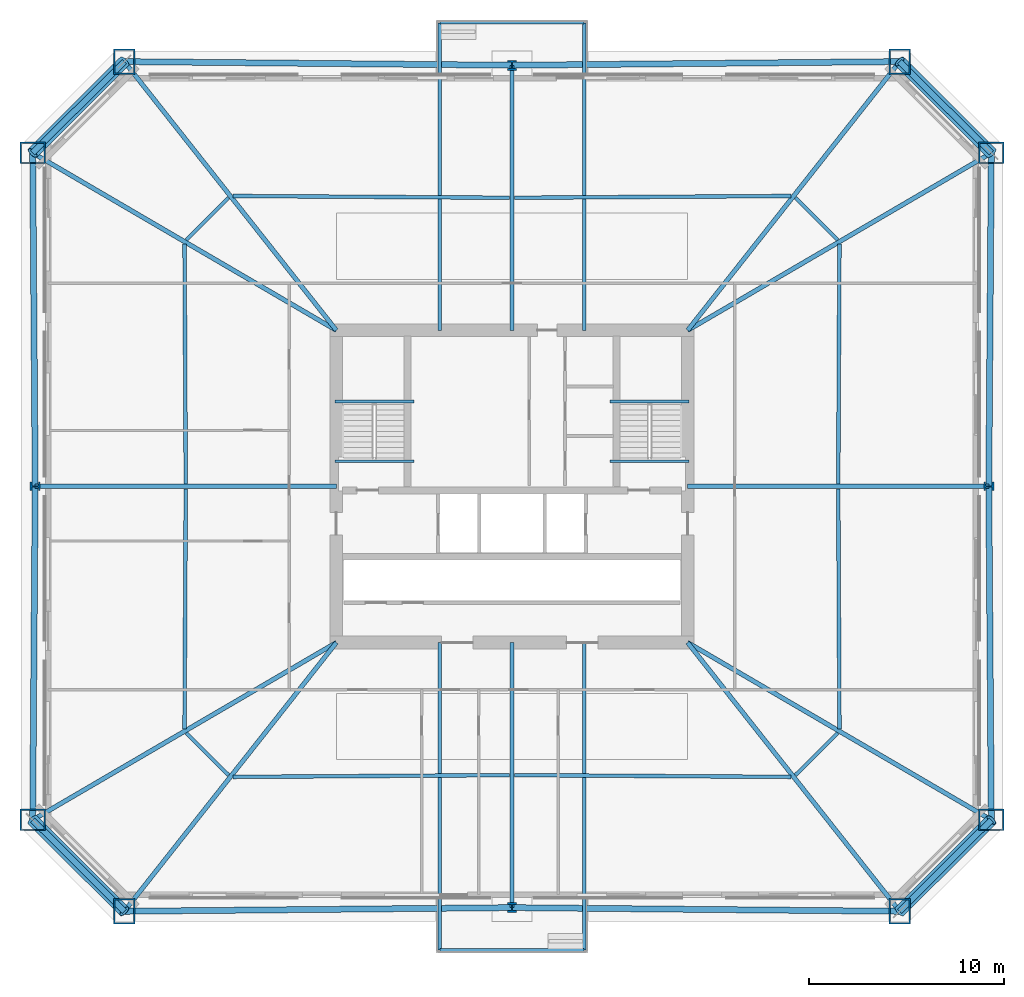
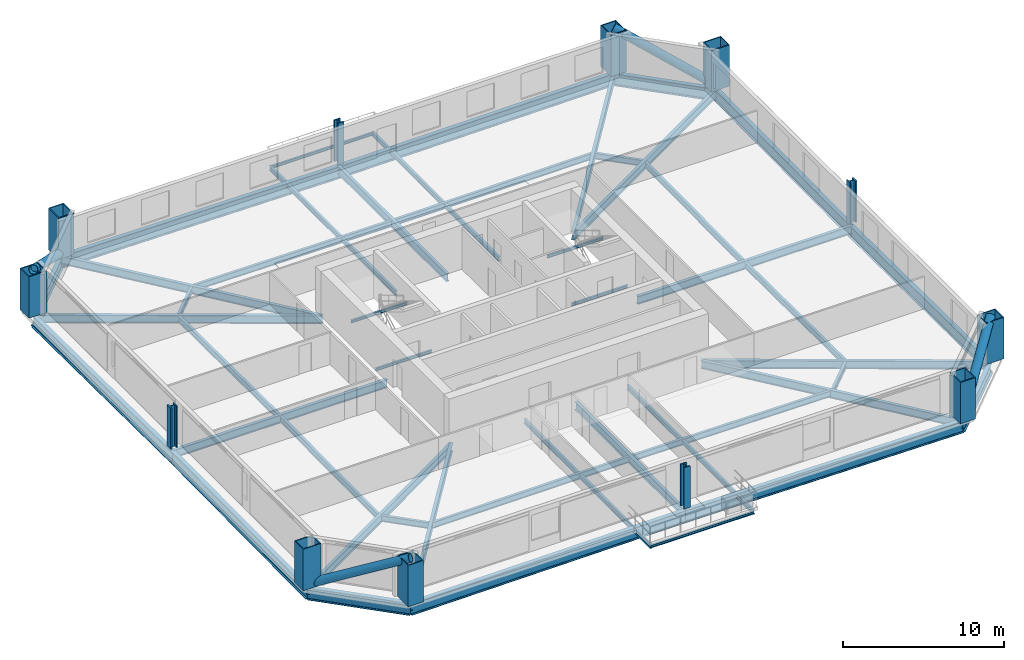
# One storey, part 1 of 8: 46 beams, 12 columns, 4 members.
"""IFC4 building model written with IfcOpenShell, lengths in metres."""

from ifc_helpers import new_model, si_unit, direction, frame, origin, origin_2d, place, context, subcontext, project, spatial, hollow_rectangle, hollow_circle, i_section, extrude, material, material_profile, profile_set, type_object, element, save


model = new_model("IFC4")

# Units and contexts
model_context = context("Model", 3, precision=1e-05, world=origin(), true_north=direction((0.0, 1.0)))
body_context = subcontext(model_context, "Body", "Model", "MODEL_VIEW")
ifc_project = project(units=[si_unit("LENGTHUNIT", "METRE"), si_unit("AREAUNIT", "SQUARE_METRE"), si_unit("VOLUMEUNIT", "CUBIC_METRE"), si_unit("PLANEANGLEUNIT", "RADIAN"), si_unit("MASSUNIT", "GRAM", prefix="KILO")], contexts=[model_context])

# Site, building, storey
site_placement = place(None, origin())
site = spatial("IfcSite", under=ifc_project, at=site_placement, CompositionType="ELEMENT")
building_placement = place(site_placement, origin())
building = spatial("IfcBuilding", under=site, at=building_placement, Name="Caelvoria Tower", CompositionType="ELEMENT")
storey_placement = place(building_placement, frame((0.0, 0.0, 42.39990234375)))
storey = spatial("IfcBuildingStorey", under=building, at=storey_placement, Name="L10", CompositionType="ELEMENT", Elevation=42.39990234375)

# Columns
ifc_material_1 = material(Name="Structural Steel ASTM A913 Gr.65", Category="steel")
ifc_material_profile_1 = material_profile(ifc_material_1, i_section(OverallWidth=0.43896484375, OverallDepth=0.513916015625, WebThickness=0.059814453125, FlangeThickness=0.096923828125, FilletRadius=0.02490234375, at=origin_2d()), Name="Structural Steel ASTM A913 Gr.65")
ifc_profile_set_1 = profile_set([ifc_material_profile_1], Name="W360X818 - Structural Steel ASTM A913 Gr.65")
column_type_1 = type_object("IfcColumnType", Name="Heavy Frame Column W360X818", PredefinedType="COLUMN", material=ifc_profile_set_1)
for number, where, z_axis, x_axis, name in (
    (1, (46.0, 10.419921875, 0.0), (0.0, 0.0, 1.0), (1.0, 0.0, 0.0), "Perimeter Megaframe Column L10-P01"),
    (2, (70.429931640625, 32.0, 0.0), (0.0, 0.0, 1.0), (0.0, 1.0, 0.0), "Perimeter Megaframe Column L10-P04"),
    (3, (46.0, 53.580078125, 0.0), (0.0, 0.0, 1.0), (1.0, 0.0, 0.0), "Perimeter Megaframe Column L10-P07"),
    (4, (21.570068359375, 32.0, 0.0), (0.0, 0.0, 1.0), (0.0, 1.0, 0.0), "Perimeter Megaframe Column L10-P10"),
):
    element("IfcColumn", number, at=place(storey_placement, frame(where, z_axis=z_axis, x_axis=x_axis)), inside=storey, type_object=column_type_1, Name=name, PredefinedType="COLUMN", context=body_context, shape_type="SweptSolid", body=[
        extrude(i_section(OverallWidth=0.43896484375, OverallDepth=0.513916015625, WebThickness=0.059814453125, FlangeThickness=0.096923828125, FilletRadius=0.02490234375, at=origin_2d()), origin(), (0.0, 0.0, 1.0), 3.148193359375),
    ])
ifc_material_2 = material(Name="Structural Steel ASTM A572 Gr.50", Category="steel")
ifc_material_profile_2 = material_profile(ifc_material_2, hollow_rectangle(XDim=1.10009765625, YDim=1.300048828125, WallThickness=0.070068359375, at=origin_2d()), Name="Structural Steel ASTM A572 Gr.50")
ifc_profile_set_2 = profile_set([ifc_material_profile_2], Name="BOX1300X1100X70 - Structural Steel ASTM A572 Gr.50")
column_type_2 = type_object("IfcColumnType", Name="Mega Box Column 1300x1100x70", PredefinedType="COLUMN", material=ifc_profile_set_2)
for number, where, z_axis, x_axis, name in (
    (5, (26.13525390625, 10.231689453125, 0.0), (0.0, 0.0, 1.0), (1.0, 0.0, 0.0), "Perimeter Megaframe Column L10-P00"),
    (6, (65.86474609375, 10.231689453125, 0.0), (0.0, 0.0, 1.0), (1.0, 0.0, 0.0), "Perimeter Megaframe Column L10-P02"),
    (7, (70.55908203125, 14.9111328125, 0.0), (0.0, 0.0, 1.0), (0.0, 1.0, 0.0), "Perimeter Megaframe Column L10-P03"),
    (8, (70.55908203125, 49.0888671875, 0.0), (0.0, 0.0, 1.0), (0.0, 1.0, 0.0), "Perimeter Megaframe Column L10-P05"),
    (9, (65.86474609375, 53.768310546875, 0.0), (0.0, 0.0, 1.0), (1.0, 0.0, 0.0), "Perimeter Megaframe Column L10-P06"),
    (10, (26.13525390625, 53.768310546875, 0.0), (0.0, 0.0, 1.0), (1.0, 0.0, 0.0), "Perimeter Megaframe Column L10-P08"),
    (11, (21.44091796875, 49.0888671875, 0.0), (0.0, 0.0, 1.0), (0.0, 1.0, 0.0), "Perimeter Megaframe Column L10-P09"),
    (12, (21.44091796875, 14.9111328125, 0.0), (0.0, 0.0, 1.0), (0.0, 1.0, 0.0), "Perimeter Megaframe Column L10-P11"),
):
    element("IfcColumn", number, at=place(storey_placement, frame(where, z_axis=z_axis, x_axis=x_axis)), inside=storey, type_object=column_type_2, Name=name, PredefinedType="COLUMN", context=body_context, shape_type="SweptSolid", body=[
        extrude(hollow_rectangle(XDim=1.10009765625, YDim=1.300048828125, WallThickness=0.070068359375, at=origin_2d()), origin(), (0.0, 0.0, 1.0), 3.148193359375),
    ])

# Beams
ifc_material_3 = material(Name="Structural Steel ASTM A992 Gr.50", Category="steel")
ifc_material_profile_3 = material_profile(ifc_material_3, i_section(OverallWidth=0.134033203125, OverallDepth=0.2099609375, WebThickness=0.00634765625, FlangeThickness=0.01025390625, FilletRadius=0.010009765625, at=origin_2d()), Name="Structural Steel ASTM A992 Gr.50")
ifc_profile_set_3 = profile_set([ifc_material_profile_3], Name="W200X31.3 - Structural Steel ASTM A992 Gr.50")
beam_type_1 = type_object("IfcBeamType", Name="Canopy Edge Trim Beam W200X31.3", PredefinedType="BEAM", material=ifc_profile_set_3)
for number, where, z_axis, x_axis, name in (
    (13, (42.300048828125, 8.25, -0.428955078125), (1.0, 0.0, 0.0), (0.0, 1.0, 0.0), "Tree Balcony Edge Beam TB-L10-S"),
    (14, (42.300048828125, 55.75, -0.428955078125), (1.0, 0.0, 0.0), (0.0, 1.0, 0.0), "Tree Balcony Edge Beam TB-L10-N"),
):
    element("IfcBeam", number, at=place(storey_placement, frame(where, z_axis=z_axis, x_axis=x_axis)), inside=storey, type_object=beam_type_1, Name=name, PredefinedType="BEAM", context=body_context, shape_type="SweptSolid", body=[
        extrude(i_section(OverallWidth=0.134033203125, OverallDepth=0.2099609375, WebThickness=0.00634765625, FlangeThickness=0.01025390625, FilletRadius=0.010009765625, at=origin_2d()), origin(), (0.0, 0.0, 1.0), 7.39990234375),
    ])
for number, where, z_axis, x_axis, name in (
    (15, (36.929931640625, 36.35009765625, 1.4951171875), (1.0, 0.0, 0.0), (0.0, 1.0, 0.0), "ST-01 Half-Landing Support Beam L10"),
    (16, (36.929931640625, 33.300048828125, -0.304931640625), (1.0, 0.0, 0.0), (0.0, 1.0, 0.0), "ST-01 Floor-Landing Support Beam L10"),
    (17, (51.030029296875, 36.35009765625, 1.4951171875), (1.0, 0.0, 0.0), (0.0, 1.0, 0.0), "ST-02 Half-Landing Support Beam L10"),
    (18, (51.030029296875, 33.300048828125, -0.304931640625), (1.0, 0.0, 0.0), (0.0, 1.0, 0.0), "ST-02 Floor-Landing Support Beam L10"),
):
    element("IfcBeam", number, at=place(storey_placement, frame(where, z_axis=z_axis, x_axis=x_axis)), inside=storey, type_object=beam_type_1, Name=name, PredefinedType="BEAM", context=body_context, shape_type="SweptSolid", body=[
        extrude(i_section(OverallWidth=0.134033203125, OverallDepth=0.2099609375, WebThickness=0.00634765625, FlangeThickness=0.01025390625, FilletRadius=0.010009765625, at=origin_2d()), origin(), (0.0, 0.0, 1.0), 4.0400390625),
    ])

# Members
ifc_material_profile_4 = material_profile(ifc_material_2, hollow_circle(Radius=0.304931640625, WallThickness=0.02490234375, at=origin_2d()), Name="Structural Steel ASTM A572 Gr.50")
ifc_profile_set_4 = profile_set([ifc_material_profile_4], Name="CHS610X25 - Structural Steel ASTM A572 Gr.50")
member_type = type_object("IfcMemberType", Name="Lower Perimeter Mega Brace CHS610X25", PredefinedType="BRACE", material=ifc_profile_set_4)
for number, where, z_axis, x_axis, name in (
    (19, (65.86474609375, 10.231689453125, 0.0), (0.639663340641, 0.637634036305, 0.429247768062), (-0.705982475332, 0.708229302221, 0.0), "Perimeter Chamfer Mega Brace L10 SE"),
    (20, (70.55908203125, 49.0888671875, 0.0), (-0.639663340641, 0.637634036305, 0.429247768062), (-0.705982475332, -0.708229302221, 0.0), "Perimeter Chamfer Mega Brace L10 NE"),
    (21, (26.13525390625, 53.768310546875, 0.0), (-0.639663340641, -0.637634036305, 0.429247768062), (0.705982475332, -0.708229302221, 0.0), "Perimeter Chamfer Mega Brace L10 NW"),
    (22, (21.44091796875, 14.9111328125, 0.0), (0.639663340641, -0.637634036305, 0.429247768062), (0.705982475332, 0.708229302221, 0.0), "Perimeter Chamfer Mega Brace L10 SW"),
):
    element("IfcMember", number, at=place(storey_placement, frame(where, z_axis=z_axis, x_axis=x_axis)), inside=storey, type_object=member_type, Name=name, PredefinedType="BRACE", context=body_context, shape_type="SweptSolid", body=[
        extrude(hollow_circle(Radius=0.304931640625, WallThickness=0.02490234375, at=origin_2d()), origin(), (0.0, 0.0, 1.0), 7.3388671875),
    ])

# Beams
ifc_material_profile_5 = material_profile(ifc_material_3, i_section(OverallWidth=0.30810546875, OverallDepth=0.927001953125, WebThickness=0.019287109375, FlangeThickness=0.031982421875, FilletRadius=0.02392578125, at=origin_2d()), Name="Structural Steel ASTM A992 Gr.50")
ifc_profile_set_5 = profile_set([ifc_material_profile_5], Name="W920X289 - Structural Steel ASTM A992 Gr.50")
beam_type_2 = type_object("IfcBeamType", Name="Outrigger Tie Girder W920X289", PredefinedType="BEAM", material=ifc_profile_set_5)
for number, where, z_axis, x_axis, name in (
    (23, (26.13525390625, 10.231689453125, -0.703369140625), (0.999955108555, 0.009475277004, 0.0), (-0.009475277004, 0.999955108555, 0.0), "Perimeter Spandrel Girder L10-00"),
    (24, (46.0, 10.419921875, -0.703369140625), (0.999955108555, -0.009475277004, 0.0), (0.009475277004, 0.999955108555, 0.0), "Perimeter Spandrel Girder L10-01"),
):
    element("IfcBeam", number, at=place(storey_placement, frame(where, z_axis=z_axis, x_axis=x_axis)), inside=storey, type_object=beam_type_2, Name=name, PredefinedType="BEAM", context=body_context, shape_type="SweptSolid", body=[
        extrude(i_section(OverallWidth=0.30810546875, OverallDepth=0.927001953125, WebThickness=0.019287109375, FlangeThickness=0.031982421875, FilletRadius=0.02392578125, at=origin_2d()), origin(), (0.0, 0.0, 1.0), 19.86572265625),
    ])
beam_1_placement = place(storey_placement, frame((65.86474609375, 10.231689453125, -0.703369140625), z_axis=(0.708229302221, 0.705982475332, 0.0), x_axis=(-0.705982475332, 0.708229302221, 0.0)))
element("IfcBeam", 25, at=beam_1_placement, inside=storey, type_object=beam_type_2, Name="Perimeter Spandrel Girder L10-02", PredefinedType="BEAM", context=body_context, shape_type="SweptSolid", body=[
    extrude(i_section(OverallWidth=0.30810546875, OverallDepth=0.927001953125, WebThickness=0.019287109375, FlangeThickness=0.031982421875, FilletRadius=0.02392578125, at=origin_2d()), origin(), (0.0, 0.0, 1.0), 6.628173828125),
])
for number, where, z_axis, x_axis, name in (
    (26, (70.55908203125, 14.9111328125, -0.703369140625), (-0.007557358895, 0.999971442756, 0.0), (-0.999971442756, -0.007557358895, 0.0), "Perimeter Spandrel Girder L10-03"),
    (27, (70.429931640625, 32.0, -0.703369140625), (0.007557358895, 0.999971442756, 0.0), (-0.999971442756, 0.007557358895, 0.0), "Perimeter Spandrel Girder L10-04"),
):
    element("IfcBeam", number, at=place(storey_placement, frame(where, z_axis=z_axis, x_axis=x_axis)), inside=storey, type_object=beam_type_2, Name=name, PredefinedType="BEAM", context=body_context, shape_type="SweptSolid", body=[
        extrude(i_section(OverallWidth=0.30810546875, OverallDepth=0.927001953125, WebThickness=0.019287109375, FlangeThickness=0.031982421875, FilletRadius=0.02392578125, at=origin_2d()), origin(), (0.0, 0.0, 1.0), 17.08935546875),
    ])
beam_2_placement = place(storey_placement, frame((70.55908203125, 49.0888671875, -0.703369140625), z_axis=(-0.708229302221, 0.705982475332, 0.0), x_axis=(-0.705982475332, -0.708229302221, 0.0)))
element("IfcBeam", 28, at=beam_2_placement, inside=storey, type_object=beam_type_2, Name="Perimeter Spandrel Girder L10-05", PredefinedType="BEAM", context=body_context, shape_type="SweptSolid", body=[
    extrude(i_section(OverallWidth=0.30810546875, OverallDepth=0.927001953125, WebThickness=0.019287109375, FlangeThickness=0.031982421875, FilletRadius=0.02392578125, at=origin_2d()), origin(), (0.0, 0.0, 1.0), 6.628173828125),
])
for number, where, z_axis, x_axis, name in (
    (29, (65.86474609375, 53.768310546875, -0.703369140625), (-0.999955108555, -0.009475277004, 0.0), (0.009475277004, -0.999955108555, 0.0), "Perimeter Spandrel Girder L10-06"),
    (30, (46.0, 53.580078125, -0.703369140625), (-0.999955108555, 0.009475277004, 0.0), (-0.009475277004, -0.999955108555, 0.0), "Perimeter Spandrel Girder L10-07"),
):
    element("IfcBeam", number, at=place(storey_placement, frame(where, z_axis=z_axis, x_axis=x_axis)), inside=storey, type_object=beam_type_2, Name=name, PredefinedType="BEAM", context=body_context, shape_type="SweptSolid", body=[
        extrude(i_section(OverallWidth=0.30810546875, OverallDepth=0.927001953125, WebThickness=0.019287109375, FlangeThickness=0.031982421875, FilletRadius=0.02392578125, at=origin_2d()), origin(), (0.0, 0.0, 1.0), 19.86572265625),
    ])
beam_3_placement = place(storey_placement, frame((26.13525390625, 53.768310546875, -0.703369140625), z_axis=(-0.708229302221, -0.705982475332, 0.0), x_axis=(0.705982475332, -0.708229302221, 0.0)))
element("IfcBeam", 31, at=beam_3_placement, inside=storey, type_object=beam_type_2, Name="Perimeter Spandrel Girder L10-08", PredefinedType="BEAM", context=body_context, shape_type="SweptSolid", body=[
    extrude(i_section(OverallWidth=0.30810546875, OverallDepth=0.927001953125, WebThickness=0.019287109375, FlangeThickness=0.031982421875, FilletRadius=0.02392578125, at=origin_2d()), origin(), (0.0, 0.0, 1.0), 6.628173828125),
])
for number, where, z_axis, x_axis, name in (
    (32, (21.44091796875, 49.0888671875, -0.703369140625), (0.007557358895, -0.999971442756, 0.0), (0.999971442756, 0.007557358895, 0.0), "Perimeter Spandrel Girder L10-09"),
    (33, (21.570068359375, 32.0, -0.703369140625), (-0.007557358895, -0.999971442756, 0.0), (0.999971442756, -0.007557358895, 0.0), "Perimeter Spandrel Girder L10-10"),
):
    element("IfcBeam", number, at=place(storey_placement, frame(where, z_axis=z_axis, x_axis=x_axis)), inside=storey, type_object=beam_type_2, Name=name, PredefinedType="BEAM", context=body_context, shape_type="SweptSolid", body=[
        extrude(i_section(OverallWidth=0.30810546875, OverallDepth=0.927001953125, WebThickness=0.019287109375, FlangeThickness=0.031982421875, FilletRadius=0.02392578125, at=origin_2d()), origin(), (0.0, 0.0, 1.0), 17.08935546875),
    ])
beam_4_placement = place(storey_placement, frame((21.44091796875, 14.9111328125, -0.703369140625), z_axis=(0.708229302221, -0.705982475332, 0.0), x_axis=(0.705982475332, 0.708229302221, 0.0)))
element("IfcBeam", 34, at=beam_4_placement, inside=storey, type_object=beam_type_2, Name="Perimeter Spandrel Girder L10-11", PredefinedType="BEAM", context=body_context, shape_type="SweptSolid", body=[
    extrude(i_section(OverallWidth=0.30810546875, OverallDepth=0.927001953125, WebThickness=0.019287109375, FlangeThickness=0.031982421875, FilletRadius=0.02392578125, at=origin_2d()), origin(), (0.0, 0.0, 1.0), 6.628173828125),
])
ifc_material_profile_6 = material_profile(ifc_material_3, i_section(OverallWidth=0.22900390625, OverallDepth=0.612060546875, WebThickness=0.011962890625, FlangeThickness=0.01953125, FilletRadius=0.01806640625, at=origin_2d()), Name="Structural Steel ASTM A992 Gr.50")
ifc_profile_set_6 = profile_set([ifc_material_profile_6], Name="W610X125 - Structural Steel ASTM A992 Gr.50")
beam_type_3 = type_object("IfcBeamType", Name="Primary Radial Floor Girder W610X125", PredefinedType="BEAM", material=ifc_profile_set_6)
beam_5_placement = place(storey_placement, frame((37.0, 24.0, -0.5458984375), z_axis=(-0.619469607618, -0.785020640007, 0.0), x_axis=(0.785020640007, -0.619469607618, 0.0)))
element("IfcBeam", 35, at=beam_5_placement, inside=storey, type_object=beam_type_3, Name="Primary Floor Girder L10-00", PredefinedType="BEAM", context=body_context, shape_type="SweptSolid", body=[
    extrude(i_section(OverallWidth=0.22900390625, OverallDepth=0.612060546875, WebThickness=0.011962890625, FlangeThickness=0.01953125, FilletRadius=0.01806640625, at=origin_2d()), origin(), (0.0, 0.0, 1.0), 17.538818359375),
])
beam_6_placement = place(storey_placement, frame((46.0, 24.0, -0.5458984375), z_axis=(0.0, -1.0, 0.0), x_axis=(1.0, 0.0, 0.0)))
element("IfcBeam", 36, at=beam_6_placement, inside=storey, type_object=beam_type_3, Name="Primary Floor Girder L10-01", PredefinedType="BEAM", context=body_context, shape_type="SweptSolid", body=[
    extrude(i_section(OverallWidth=0.22900390625, OverallDepth=0.612060546875, WebThickness=0.011962890625, FlangeThickness=0.01953125, FilletRadius=0.01806640625, at=origin_2d()), origin(), (0.0, 0.0, 1.0), 13.580078125),
])
beam_7_placement = place(storey_placement, frame((55.0, 24.0, -0.5458984375), z_axis=(0.619469607618, -0.785020640007, 0.0), x_axis=(0.785020640007, 0.619469607618, 0.0)))
element("IfcBeam", 37, at=beam_7_placement, inside=storey, type_object=beam_type_3, Name="Primary Floor Girder L10-02", PredefinedType="BEAM", context=body_context, shape_type="SweptSolid", body=[
    extrude(i_section(OverallWidth=0.22900390625, OverallDepth=0.612060546875, WebThickness=0.011962890625, FlangeThickness=0.01953125, FilletRadius=0.01806640625, at=origin_2d()), origin(), (0.0, 0.0, 1.0), 17.538818359375),
])
beam_8_placement = place(storey_placement, frame((55.0, 24.0, -0.5458984375), z_axis=(0.863471116807, -0.504398285525, 0.0), x_axis=(0.504398285525, 0.863471116807, 0.0)))
element("IfcBeam", 38, at=beam_8_placement, inside=storey, type_object=beam_type_3, Name="Primary Floor Girder L10-03", PredefinedType="BEAM", context=body_context, shape_type="SweptSolid", body=[
    extrude(i_section(OverallWidth=0.22900390625, OverallDepth=0.612060546875, WebThickness=0.011962890625, FlangeThickness=0.01953125, FilletRadius=0.01806640625, at=origin_2d()), origin(), (0.0, 0.0, 1.0), 18.019287109375),
])
beam_9_placement = place(storey_placement, frame((55.0, 32.0, -0.5458984375), z_axis=(1.0, 0.0, 0.0), x_axis=(0.0, 1.0, 0.0)))
element("IfcBeam", 39, at=beam_9_placement, inside=storey, type_object=beam_type_3, Name="Primary Floor Girder L10-04", PredefinedType="BEAM", context=body_context, shape_type="SweptSolid", body=[
    extrude(i_section(OverallWidth=0.22900390625, OverallDepth=0.612060546875, WebThickness=0.011962890625, FlangeThickness=0.01953125, FilletRadius=0.01806640625, at=origin_2d()), origin(), (0.0, 0.0, 1.0), 15.429931640625),
])
beam_10_placement = place(storey_placement, frame((55.0, 40.0, -0.5458984375), z_axis=(0.863471116807, 0.504398285525, 0.0), x_axis=(-0.504398285525, 0.863471116807, 0.0)))
element("IfcBeam", 40, at=beam_10_placement, inside=storey, type_object=beam_type_3, Name="Primary Floor Girder L10-05", PredefinedType="BEAM", context=body_context, shape_type="SweptSolid", body=[
    extrude(i_section(OverallWidth=0.22900390625, OverallDepth=0.612060546875, WebThickness=0.011962890625, FlangeThickness=0.01953125, FilletRadius=0.01806640625, at=origin_2d()), origin(), (0.0, 0.0, 1.0), 18.019287109375),
])
beam_11_placement = place(storey_placement, frame((55.0, 40.0, -0.5458984375), z_axis=(0.619469607618, 0.785020640007, 0.0), x_axis=(-0.785020640007, 0.619469607618, 0.0)))
element("IfcBeam", 41, at=beam_11_placement, inside=storey, type_object=beam_type_3, Name="Primary Floor Girder L10-06", PredefinedType="BEAM", context=body_context, shape_type="SweptSolid", body=[
    extrude(i_section(OverallWidth=0.22900390625, OverallDepth=0.612060546875, WebThickness=0.011962890625, FlangeThickness=0.01953125, FilletRadius=0.01806640625, at=origin_2d()), origin(), (0.0, 0.0, 1.0), 17.538818359375),
])
beam_12_placement = place(storey_placement, frame((46.0, 40.0, -0.5458984375), z_axis=(0.0, 1.0, 0.0), x_axis=(-1.0, 0.0, 0.0)))
element("IfcBeam", 42, at=beam_12_placement, inside=storey, type_object=beam_type_3, Name="Primary Floor Girder L10-07", PredefinedType="BEAM", context=body_context, shape_type="SweptSolid", body=[
    extrude(i_section(OverallWidth=0.22900390625, OverallDepth=0.612060546875, WebThickness=0.011962890625, FlangeThickness=0.01953125, FilletRadius=0.01806640625, at=origin_2d()), origin(), (0.0, 0.0, 1.0), 13.580078125),
])
beam_13_placement = place(storey_placement, frame((37.0, 40.0, -0.5458984375), z_axis=(-0.619469607618, 0.785020640007, 0.0), x_axis=(-0.785020640007, -0.619469607618, 0.0)))
element("IfcBeam", 43, at=beam_13_placement, inside=storey, type_object=beam_type_3, Name="Primary Floor Girder L10-08", PredefinedType="BEAM", context=body_context, shape_type="SweptSolid", body=[
    extrude(i_section(OverallWidth=0.22900390625, OverallDepth=0.612060546875, WebThickness=0.011962890625, FlangeThickness=0.01953125, FilletRadius=0.01806640625, at=origin_2d()), origin(), (0.0, 0.0, 1.0), 17.538818359375),
])
beam_14_placement = place(storey_placement, frame((37.0, 40.0, -0.5458984375), z_axis=(-0.863471116807, 0.504398285525, 0.0), x_axis=(-0.504398285525, -0.863471116807, 0.0)))
element("IfcBeam", 44, at=beam_14_placement, inside=storey, type_object=beam_type_3, Name="Primary Floor Girder L10-09", PredefinedType="BEAM", context=body_context, shape_type="SweptSolid", body=[
    extrude(i_section(OverallWidth=0.22900390625, OverallDepth=0.612060546875, WebThickness=0.011962890625, FlangeThickness=0.01953125, FilletRadius=0.01806640625, at=origin_2d()), origin(), (0.0, 0.0, 1.0), 18.019287109375),
])
beam_15_placement = place(storey_placement, frame((37.0, 32.0, -0.5458984375), z_axis=(-1.0, 0.0, 0.0), x_axis=(0.0, -1.0, 0.0)))
element("IfcBeam", 45, at=beam_15_placement, inside=storey, type_object=beam_type_3, Name="Primary Floor Girder L10-10", PredefinedType="BEAM", context=body_context, shape_type="SweptSolid", body=[
    extrude(i_section(OverallWidth=0.22900390625, OverallDepth=0.612060546875, WebThickness=0.011962890625, FlangeThickness=0.01953125, FilletRadius=0.01806640625, at=origin_2d()), origin(), (0.0, 0.0, 1.0), 15.429931640625),
])
beam_16_placement = place(storey_placement, frame((37.0, 24.0, -0.5458984375), z_axis=(-0.863471116807, -0.504398285525, 0.0), x_axis=(0.504398285525, -0.863471116807, 0.0)))
element("IfcBeam", 46, at=beam_16_placement, inside=storey, type_object=beam_type_3, Name="Primary Floor Girder L10-11", PredefinedType="BEAM", context=body_context, shape_type="SweptSolid", body=[
    extrude(i_section(OverallWidth=0.22900390625, OverallDepth=0.612060546875, WebThickness=0.011962890625, FlangeThickness=0.01953125, FilletRadius=0.01806640625, at=origin_2d()), origin(), (0.0, 0.0, 1.0), 18.019287109375),
])
ifc_material_profile_7 = material_profile(ifc_material_3, i_section(OverallWidth=0.18994140625, OverallDepth=0.45703125, WebThickness=0.009033203125, FlangeThickness=0.014404296875, FilletRadius=0.014892578125, at=origin_2d()), Name="Structural Steel ASTM A992 Gr.50")
ifc_profile_set_7 = profile_set([ifc_material_profile_7], Name="W460X74 - Structural Steel ASTM A992 Gr.50")
beam_type_4 = type_object("IfcBeamType", Name="Secondary Floor Beam W460X74", PredefinedType="BEAM", material=ifc_profile_set_7)
for number, where, z_axis, x_axis, name in (
    (47, (31.692626953125, 17.11669921875, -0.468505859375), (0.999978717784, 0.006524107591, 0.0), (-0.006524107591, 0.999978717784, 0.0), "Secondary Floor Beam L10-00"),
    (48, (46.125, 17.209228515625, -0.468505859375), (0.999978717784, -0.006524107591, 0.0), (0.006524107591, 0.999978717784, 0.0), "Secondary Floor Beam L10-01"),
):
    element("IfcBeam", number, at=place(storey_placement, frame(where, z_axis=z_axis, x_axis=x_axis)), inside=storey, type_object=beam_type_4, Name=name, PredefinedType="BEAM", context=body_context, shape_type="SweptSolid", body=[
        extrude(i_section(OverallWidth=0.18994140625, OverallDepth=0.45703125, WebThickness=0.009033203125, FlangeThickness=0.014404296875, FilletRadius=0.014892578125, at=origin_2d()), origin(), (0.0, 0.0, 1.0), 14.1826171875),
    ])
beam_17_placement = place(storey_placement, frame((60.520751953125, 17.2041015625, -0.468505859375), z_axis=(0.708221336069, 0.705990466746, 0.0), x_axis=(-0.705990466746, 0.708221336069, 0.0)))
element("IfcBeam", 49, at=beam_17_placement, inside=storey, type_object=beam_type_4, Name="Secondary Floor Beam L10-02", PredefinedType="BEAM", context=body_context, shape_type="SweptSolid", body=[
    extrude(i_section(OverallWidth=0.18994140625, OverallDepth=0.45703125, WebThickness=0.009033203125, FlangeThickness=0.014404296875, FilletRadius=0.014892578125, at=origin_2d()), origin(), (0.0, 0.0, 1.0), 3.064208984375),
])
for number, where, z_axis, x_axis, name in (
    (50, (62.77880859375, 19.58056640625, -0.468505859375), (-0.005143106845, 0.999986774139, 0.0), (-0.999986774139, -0.005143106845, 0.0), "Secondary Floor Beam L10-03"),
    (51, (62.715576171875, 32.125, -0.468505859375), (0.005143106845, 0.999986774139, 0.0), (-0.999986774139, 0.005143106845, 0.0), "Secondary Floor Beam L10-04"),
):
    element("IfcBeam", number, at=place(storey_placement, frame(where, z_axis=z_axis, x_axis=x_axis)), inside=storey, type_object=beam_type_4, Name=name, PredefinedType="BEAM", context=body_context, shape_type="SweptSolid", body=[
        extrude(i_section(OverallWidth=0.18994140625, OverallDepth=0.45703125, WebThickness=0.009033203125, FlangeThickness=0.014404296875, FilletRadius=0.014892578125, at=origin_2d()), origin(), (0.0, 0.0, 1.0), 12.294677734375),
    ])
beam_18_placement = place(storey_placement, frame((62.69091796875, 44.632568359375, -0.468505859375), z_axis=(-0.708221336069, 0.705990466746, 0.0), x_axis=(-0.705990466746, -0.708221336069, 0.0)))
element("IfcBeam", 52, at=beam_18_placement, inside=storey, type_object=beam_type_4, Name="Secondary Floor Beam L10-05", PredefinedType="BEAM", context=body_context, shape_type="SweptSolid", body=[
    extrude(i_section(OverallWidth=0.18994140625, OverallDepth=0.45703125, WebThickness=0.009033203125, FlangeThickness=0.014404296875, FilletRadius=0.014892578125, at=origin_2d()), origin(), (0.0, 0.0, 1.0), 3.064208984375),
])
for number, where, z_axis, x_axis, name in (
    (53, (60.307373046875, 46.88330078125, -0.468505859375), (-0.999978717784, -0.006524107591, 0.0), (0.006524107591, -0.999978717784, 0.0), "Secondary Floor Beam L10-06"),
    (54, (45.875, 46.790771484375, -0.468505859375), (-0.999978717784, 0.006524107591, 0.0), (-0.006524107591, -0.999978717784, 0.0), "Secondary Floor Beam L10-07"),
):
    element("IfcBeam", number, at=place(storey_placement, frame(where, z_axis=z_axis, x_axis=x_axis)), inside=storey, type_object=beam_type_4, Name=name, PredefinedType="BEAM", context=body_context, shape_type="SweptSolid", body=[
        extrude(i_section(OverallWidth=0.18994140625, OverallDepth=0.45703125, WebThickness=0.009033203125, FlangeThickness=0.014404296875, FilletRadius=0.014892578125, at=origin_2d()), origin(), (0.0, 0.0, 1.0), 14.1826171875),
    ])
beam_19_placement = place(storey_placement, frame((31.479248046875, 46.7958984375, -0.468505859375), z_axis=(-0.708221336069, -0.705990466746, 0.0), x_axis=(0.705990466746, -0.708221336069, 0.0)))
element("IfcBeam", 55, at=beam_19_placement, inside=storey, type_object=beam_type_4, Name="Secondary Floor Beam L10-08", PredefinedType="BEAM", context=body_context, shape_type="SweptSolid", body=[
    extrude(i_section(OverallWidth=0.18994140625, OverallDepth=0.45703125, WebThickness=0.009033203125, FlangeThickness=0.014404296875, FilletRadius=0.014892578125, at=origin_2d()), origin(), (0.0, 0.0, 1.0), 3.064208984375),
])
for number, where, z_axis, x_axis, name in (
    (56, (29.22119140625, 44.41943359375, -0.468505859375), (0.005143106845, -0.999986774139, 0.0), (0.999986774139, 0.005143106845, 0.0), "Secondary Floor Beam L10-09"),
    (57, (29.284423828125, 31.875, -0.468505859375), (-0.005143106845, -0.999986774139, 0.0), (0.999986774139, -0.005143106845, 0.0), "Secondary Floor Beam L10-10"),
):
    element("IfcBeam", number, at=place(storey_placement, frame(where, z_axis=z_axis, x_axis=x_axis)), inside=storey, type_object=beam_type_4, Name=name, PredefinedType="BEAM", context=body_context, shape_type="SweptSolid", body=[
        extrude(i_section(OverallWidth=0.18994140625, OverallDepth=0.45703125, WebThickness=0.009033203125, FlangeThickness=0.014404296875, FilletRadius=0.014892578125, at=origin_2d()), origin(), (0.0, 0.0, 1.0), 12.294677734375),
    ])
beam_20_placement = place(storey_placement, frame((29.30908203125, 19.367431640625, -0.468505859375), z_axis=(0.708221336069, -0.705990466746, 0.0), x_axis=(0.705990466746, 0.708221336069, 0.0)))
element("IfcBeam", 58, at=beam_20_placement, inside=storey, type_object=beam_type_4, Name="Secondary Floor Beam L10-11", PredefinedType="BEAM", context=body_context, shape_type="SweptSolid", body=[
    extrude(i_section(OverallWidth=0.18994140625, OverallDepth=0.45703125, WebThickness=0.009033203125, FlangeThickness=0.014404296875, FilletRadius=0.014892578125, at=origin_2d()), origin(), (0.0, 0.0, 1.0), 3.064208984375),
])
ifc_material_profile_8 = material_profile(ifc_material_3, i_section(OverallWidth=0.1708984375, OverallDepth=0.35498046875, WebThickness=0.007080078125, FlangeThickness=0.01171875, FilletRadius=0.012939453125, at=origin_2d()), Name="Structural Steel ASTM A992 Gr.50")
ifc_profile_set_8 = profile_set([ifc_material_profile_8], Name="W360X51 - Structural Steel ASTM A992 Gr.50")
beam_type_5 = type_object("IfcBeamType", Name="Tree Balcony Cantilever Beam W360X51", PredefinedType="BEAM", material=ifc_profile_set_8)
for number, where, z_axis, x_axis, name in (
    (59, (42.300048828125, 24.0, -0.428955078125), (0.0, -1.0, 0.0), (1.0, 0.0, 0.0), "Tree Balcony Cantilever Beam TB-L10-S L"),
    (60, (49.699951171875, 24.0, -0.428955078125), (0.0, -1.0, 0.0), (1.0, 0.0, 0.0), "Tree Balcony Cantilever Beam TB-L10-S R"),
    (61, (42.300048828125, 40.0, -0.428955078125), (0.0, 1.0, 0.0), (-1.0, 0.0, 0.0), "Tree Balcony Cantilever Beam TB-L10-N L"),
    (62, (49.699951171875, 40.0, -0.428955078125), (0.0, 1.0, 0.0), (-1.0, 0.0, 0.0), "Tree Balcony Cantilever Beam TB-L10-N R"),
):
    element("IfcBeam", number, at=place(storey_placement, frame(where, z_axis=z_axis, x_axis=x_axis)), inside=storey, type_object=beam_type_5, Name=name, PredefinedType="BEAM", context=body_context, shape_type="SweptSolid", body=[
        extrude(i_section(OverallWidth=0.1708984375, OverallDepth=0.35498046875, WebThickness=0.007080078125, FlangeThickness=0.01171875, FilletRadius=0.012939453125, at=origin_2d()), origin(), (0.0, 0.0, 1.0), 15.75),
    ])

save(model, "model.ifc")
